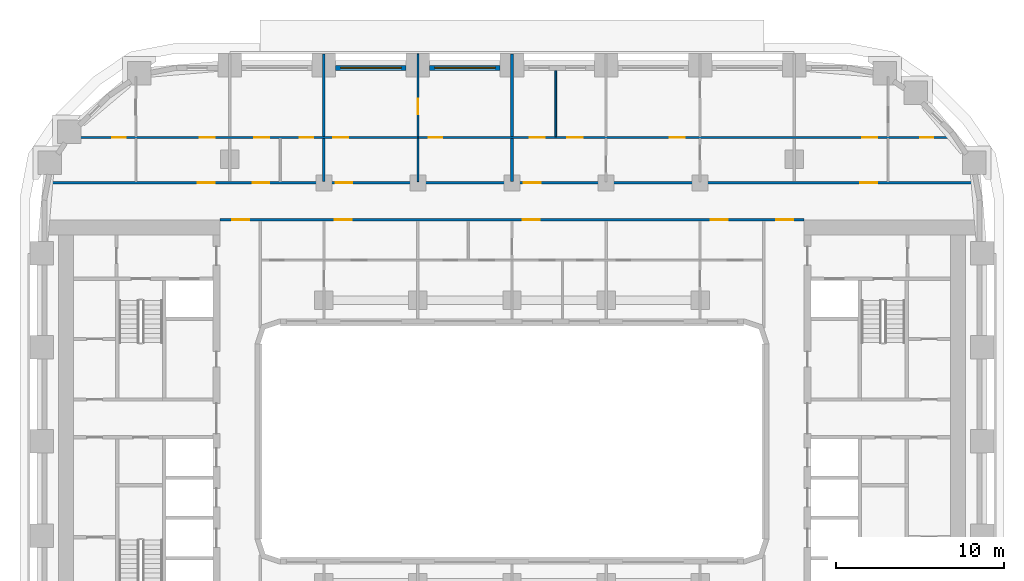
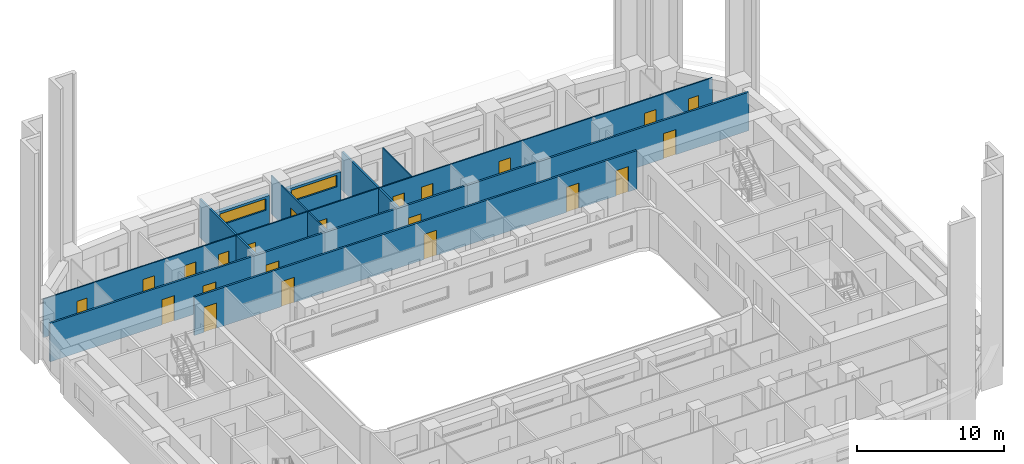
# One storey, part 8 of 22: 22 doors, 12 walls, 2 windows, 24 openings.
"""IFC4 building model written with IfcOpenShell, lengths in metres."""

import ifcopenshell
import ifcopenshell.guid

model = None  # the IFC model being written
_history = None  # IfcOwnerHistory: only IFC2X3 demands one
_inside = {}  # id of a spatial element -> (the spatial element, [elements in it])
_under = {}  # id of a project, library or spatial element -> (it, [spatial elements below it])
_declared = {}  # id of a project -> (the project, [libraries it declares])
_typed = {}  # id of a type object -> (the type object, [elements of that type])
_made_of = {}  # id of a material, layer set ... -> (it, [elements and type objects made of it])


def new_model(schema):
    """Start an empty IFC model of exactly this schema.

    Asked for "IFC4X3", IfcOpenShell would pick the latest addendum, in which some entities
    have other attributes; the version numbers below select the first issue.
    IFC2X3 requires an IfcOwnerHistory on every rooted entity: one is made here for all.
    """
    global model, _history
    if schema == "IFC4X3":
        model = ifcopenshell.file(schema_version=(4, 3, 0, 0))
    else:
        model = ifcopenshell.file(schema=schema)
    _inside.clear()
    _under.clear()
    _declared.clear()
    _typed.clear()
    _made_of.clear()
    _history = None
    if model.schema == "IFC2X3":
        org = make("IfcOrganization", Name="unknown")
        user = make(
            "IfcPersonAndOrganization",
            ThePerson=make("IfcPerson", FamilyName="unknown"),
            TheOrganization=org,
        )
        app = make(
            "IfcApplication",
            ApplicationDeveloper=org,
            Version="unknown",
            ApplicationFullName="unknown",
            ApplicationIdentifier="unknown",
        )
        _history = make(
            "IfcOwnerHistory",
            OwningUser=user,
            OwningApplication=app,
            ChangeAction="ADDED",
            CreationDate=0,
        )
    return model


def make(cls, **values):
    """One entity of the class cls with the attributes given. An attribute that is None is left unset."""
    return model.create_entity(
        cls, **{name: value for name, value in values.items() if value is not None}
    )


def rooted(cls, **values):
    """An entity with a GlobalId (a new one), such as an element, a storey or a relation."""
    return make(cls, GlobalId=ifcopenshell.guid.new(), OwnerHistory=_history, **values)


def si_unit(unit_type, name, prefix=None):
    """IfcSIUnit, for example si_unit("LENGTHUNIT", "METRE", prefix="MILLI")."""
    return make("IfcSIUnit", UnitType=unit_type, Prefix=prefix, Name=name)


def assignment(units):
    """IfcUnitAssignment: the units of a project."""
    return None if units is None else make("IfcUnitAssignment", Units=units)


def point(xyz):
    """IfcCartesianPoint."""
    return None if xyz is None else make("IfcCartesianPoint", Coordinates=xyz)


def direction(xyz):
    """IfcDirection."""
    return None if xyz is None else make("IfcDirection", DirectionRatios=xyz)


def frame(location, z_axis=None, x_axis=None):
    """IfcAxis2Placement3D, a coordinate frame: its origin and axes. An axis left out is left unset."""
    return make(
        "IfcAxis2Placement3D",
        Location=point(location),
        Axis=direction(z_axis),
        RefDirection=direction(x_axis),
    )


def frame_2d(location, x_axis=None):
    """IfcAxis2Placement2D, a coordinate frame in the plane: its origin and x axis."""
    return make(
        "IfcAxis2Placement2D", Location=point(location), RefDirection=direction(x_axis)
    )


def origin():
    """The frame at (0, 0, 0) with its axes left unset."""
    return frame((0.0, 0.0, 0.0))


def place(relative_to, where):
    """IfcLocalPlacement: puts the frame where relative to a parent placement (None: the world)."""
    return make(
        "IfcLocalPlacement", PlacementRelTo=relative_to, RelativePlacement=where
    )


def context(
    kind, dimensions, precision=None, world=None, true_north=None, identifier=None
):
    """IfcGeometricRepresentationContext, for example the 3D "Model" context."""
    return make(
        "IfcGeometricRepresentationContext",
        ContextIdentifier=identifier,
        ContextType=kind,
        CoordinateSpaceDimension=dimensions,
        Precision=precision,
        WorldCoordinateSystem=world,
        TrueNorth=true_north,
    )


def subcontext(parent, identifier, kind, view, scale=None):
    """IfcGeometricRepresentationSubContext, for example "Body" below "Model"."""
    return make(
        "IfcGeometricRepresentationSubContext",
        ContextIdentifier=identifier,
        ContextType=kind,
        ParentContext=parent,
        TargetScale=scale,
        TargetView=view,
    )


def project(units=None, contexts=None):
    """IfcProject with its units and contexts."""
    return rooted(
        "IfcProject",
        Name="project",
        RepresentationContexts=contexts,
        UnitsInContext=assignment(units),
    )


def spatial(cls, under=None, at=None, **own):
    """A site, building, storey or space (cls), placed at a placement, below another one or the project."""
    s = rooted(cls, ObjectPlacement=at, **own)
    if under is not None:
        _under.setdefault(under.id(), (under, []))[1].append(s)
    return s


def profile(cls, at=None, kind="AREA", **sizes):
    """A parametric profile (cls). Its sizes go by their IFC names, for example OverallWidth=200.0."""
    return make(cls, ProfileType=kind, Position=at, **sizes)


def rectangle(**sizes):
    """IfcRectangleProfileDef."""
    return profile("IfcRectangleProfileDef", **sizes)


def extrude(swept, where, along, depth):
    """IfcExtrudedAreaSolid: the profile swept, set in the frame where, extruded along a direction by depth."""
    return make(
        "IfcExtrudedAreaSolid",
        SweptArea=swept,
        Position=where,
        ExtrudedDirection=direction(along),
        Depth=depth,
    )


def shape(context_of_items, identifier, shape_type, items):
    """IfcShapeRepresentation: the items that make up one representation, for example the "Body"."""
    return make(
        "IfcShapeRepresentation",
        ContextOfItems=context_of_items,
        RepresentationIdentifier=identifier,
        RepresentationType=shape_type,
        Items=items,
    )


def material(Name=None, Category=None):
    """IfcMaterial."""
    return make("IfcMaterial", Name=Name, Category=Category)


def layer(
    of_material, thickness, ventilated=None, Name=None, Category=None, Priority=None
):
    """IfcMaterialLayer: one layer of a wall or slab, of a material (None: an air gap)."""
    return make(
        "IfcMaterialLayer",
        Material=of_material,
        LayerThickness=thickness,
        IsVentilated=ventilated,
        Name=Name,
        Category=Category,
        Priority=Priority,
    )


def layer_set(layers, Name=None):
    """IfcMaterialLayerSet."""
    return make("IfcMaterialLayerSet", MaterialLayers=layers, LayerSetName=Name)


def made_of(thing, what):
    """Note that an element or type object is made of a material, layer set ...; save() writes the relation."""
    if what is not None:
        _made_of.setdefault(what.id(), (what, []))[1].append(thing)
    return thing


def type_object(cls, material=None, **own):
    """A type object (cls), such as IfcWallType, which elements share."""
    return made_of(rooted(cls, **own), material)


def element(
    cls,
    number,
    at=None,
    inside=None,
    cuts=None,
    type_object=None,
    material=None,
    context=None,
    identifier="Body",
    shape_type=None,
    held_by="IfcProductDefinitionShape",
    body=None,
    shapes=None,
    **own,
):
    """One element of the class cls, such as IfcWall. Its Tag is "e" and its number.

    at: its placement. inside: the storey or other place that contains it. cuts: it is an
    opening in that element (IfcRelVoidsElement). A single representation is given by context,
    identifier, shape_type and body (its items); several are given by shapes. held_by: the class
    of the entity that holds the representations. save() writes the other relations.
    """
    e = rooted(cls, Tag="e%d" % number, ObjectPlacement=at, **own)
    if body is not None:
        shapes = [shape(context, identifier, shape_type, body)]
    if shapes is not None:
        e.Representation = make(held_by, Representations=shapes)
    if inside is not None:
        _inside.setdefault(inside.id(), (inside, []))[1].append(e)
    if cuts is not None:
        rooted(
            "IfcRelVoidsElement", RelatingBuildingElement=cuts, RelatedOpeningElement=e
        )
    if type_object is not None:
        _typed.setdefault(type_object.id(), (type_object, []))[1].append(e)
    return made_of(e, material)


def fill(opening, filler):
    """IfcRelFillsElement: the door or window that sits in an opening."""
    return rooted(
        "IfcRelFillsElement",
        RelatingOpeningElement=opening,
        RelatedBuildingElement=filler,
    )


def aggregate(whole, parts):
    """IfcRelAggregates: a whole, such as a stair, and the parts it consists of."""
    return rooted("IfcRelAggregates", RelatingObject=whole, RelatedObjects=parts)


def save(model, path):
    """Write the relations noted so far, then the file.

    IfcRelAggregates (storeys below a building ...), IfcRelContainedInSpatialStructure (elements
    in a storey), IfcRelDefinesByType, IfcRelAssociatesMaterial and IfcRelDeclares: one each for
    every whole, place, type object, material and project.
    """
    for whole, parts in _under.values():
        aggregate(whole, parts)
    for where, things in _inside.values():
        rooted(
            "IfcRelContainedInSpatialStructure",
            RelatedElements=things,
            RelatingStructure=where,
        )
    for kind, things in _typed.values():
        rooted("IfcRelDefinesByType", RelatedObjects=things, RelatingType=kind)
    for what, things in _made_of.values():
        rooted("IfcRelAssociatesMaterial", RelatedObjects=things, RelatingMaterial=what)
    for by, libraries in _declared.values():
        rooted("IfcRelDeclares", RelatingContext=by, RelatedDefinitions=libraries)
    model.write(path)


model = new_model("IFC4")

# Units and contexts
model_context = context("Model", 3, precision=1e-05, world=origin(), true_north=direction((0.0, 1.0)))
body_context = subcontext(model_context, "Body", "Model", "MODEL_VIEW")
ifc_project = project(units=[si_unit("LENGTHUNIT", "METRE"), si_unit("AREAUNIT", "SQUARE_METRE"), si_unit("VOLUMEUNIT", "CUBIC_METRE"), si_unit("PLANEANGLEUNIT", "RADIAN"), si_unit("MASSUNIT", "GRAM", prefix="KILO")], contexts=[model_context])

# Site, building, storey
site_placement = place(None, origin())
site = spatial("IfcSite", under=ifc_project, at=site_placement, CompositionType="ELEMENT")
building_placement = place(site_placement, origin())
building = spatial("IfcBuilding", under=site, at=building_placement, Name="Kiln Ring Residences", CompositionType="ELEMENT")
storey_placement = place(building_placement, frame((0.0, 0.0, 55.0)))
storey = spatial("IfcBuildingStorey", under=building, at=storey_placement, Name="L13", CompositionType="ELEMENT", Elevation=55.0)

# Wall, opening, window
ifc_material_1 = material(Name="Brick masonry, dark clay brick", Category="masonry")
ifc_layer_1 = layer(ifc_material_1, 0.300048828125)
ifc_layer_set_1 = layer_set([ifc_layer_1], Name="EW-300 BRICK WALL")
wall_type_1 = type_object("IfcWallType", Name="EW-300 BRICK WALL", PredefinedType="SOLIDWALL", material=ifc_layer_set_1)
wall_1_placement = place(storey_placement, frame((-0.699951171875, 22.25, 0.0), z_axis=(0.0, 0.0, 1.0), x_axis=(-1.0, 0.0, 0.0)))
wall_1 = element("IfcWall", 1, at=wall_1_placement, inside=storey, type_object=wall_type_1, Name="Facade wall L13 32", PredefinedType="SOLIDWALL", context=body_context, shape_type="SweptSolid", body=[
    extrude(rectangle(XDim=4.199951171875, YDim=0.300048828125, at=frame_2d((2.10009765625, 0.0))), origin(), (0.0, 0.0, 1.0), 2.35009765625),
])
opening_1_placement = place(wall_1_placement, frame((0.300048828125, 0.0, 1.199951171875)))
opening_1 = element("IfcOpeningElement", 2, at=opening_1_placement, cuts=wall_1, Name="Opening W4", PredefinedType="OPENING", context=body_context, shape_type="SweptSolid", body=[
    extrude(rectangle(XDim=3.60009765625, YDim=0.949951171875, at=frame_2d((1.800048828125, 0.47509765625))), frame((0.0, 0.159912109375, 0.0), z_axis=(0.0, -1.0, 0.0), x_axis=(1.0, 0.0, 0.0)), (0.0, 0.0, 1.0), 0.320068359375),
])
ifc_material_2 = material(Name="Aluminium frame with double glazing", Category="aluminium")
window_type = type_object("IfcWindowType", Name="WINDOW 3600 x 950", PartitioningType="SINGLE_PANEL", PredefinedType="WINDOW", material=ifc_material_2)
window_1_placement = place(opening_1_placement, origin())
window_1 = element("IfcWindow", 3, at=window_1_placement, inside=storey, type_object=window_type, Name="Window L13 18", OverallHeight=0.949951171875, OverallWidth=3.60009765625, PartitioningType="SINGLE_PANEL", PredefinedType="WINDOW", context=body_context, shape_type="SweptSolid", body=[
    extrude(rectangle(XDim=3.60009765625, YDim=0.949951171875, at=frame_2d((1.800048828125, 0.47509765625))), frame((0.0, 0.030029296875, 0.0), z_axis=(0.0, -1.0, 0.0), x_axis=(1.0, 0.0, 0.0)), (0.0, 0.0, 1.0), 0.06005859375),
])
fill(opening_1, window_1)

wall_2_placement = place(storey_placement, frame((-6.300048828125, 22.25, 0.0), z_axis=(0.0, 0.0, 1.0), x_axis=(-1.0, 0.0, 0.0)))
wall_2 = element("IfcWall", 4, at=wall_2_placement, inside=storey, type_object=wall_type_1, Name="Facade wall L13 33", PredefinedType="SOLIDWALL", context=body_context, shape_type="SweptSolid", body=[
    extrude(rectangle(XDim=4.199951171875, YDim=0.300048828125, at=frame_2d((2.10009765625, 0.0))), origin(), (0.0, 0.0, 1.0), 2.35009765625),
])
opening_2_placement = place(wall_2_placement, frame((0.300048828125, 0.0, 1.199951171875)))
opening_2 = element("IfcOpeningElement", 5, at=opening_2_placement, cuts=wall_2, Name="Opening W4", PredefinedType="OPENING", context=body_context, shape_type="SweptSolid", body=[
    extrude(rectangle(XDim=3.60009765625, YDim=0.949951171875, at=frame_2d((1.800048828125, 0.47509765625))), frame((0.0, 0.159912109375, 0.0), z_axis=(0.0, -1.0, 0.0), x_axis=(1.0, 0.0, 0.0)), (0.0, 0.0, 1.0), 0.320068359375),
])
window_2_placement = place(opening_2_placement, origin())
window_2 = element("IfcWindow", 6, at=window_2_placement, inside=storey, type_object=window_type, Name="Window L13 19", OverallHeight=0.949951171875, OverallWidth=3.60009765625, PartitioningType="SINGLE_PANEL", PredefinedType="WINDOW", context=body_context, shape_type="SweptSolid", body=[
    extrude(rectangle(XDim=3.60009765625, YDim=0.949951171875, at=frame_2d((1.800048828125, 0.47509765625))), frame((0.0, 0.030029296875, 0.0), z_axis=(0.0, -1.0, 0.0), x_axis=(1.0, 0.0, 0.0)), (0.0, 0.0, 1.0), 0.06005859375),
])
fill(opening_2, window_2)

# Wall, openings, doors
ifc_material_3 = material(Name="Gypsum board on steel studs", Category="steel")
ifc_layer_2 = layer(ifc_material_3, 0.10009765625)
ifc_layer_set_2 = layer_set([ifc_layer_2], Name="PARTITION-100")
wall_type_2 = type_object("IfcWallType", Name="PARTITION-100", PredefinedType="PARTITIONING", material=ifc_layer_set_2)
wall_3_placement = place(storey_placement, frame((-26.43994140625, 18.10009765625, 0.0), z_axis=(0.0, 0.0, 1.0), x_axis=(1.0, 0.0, 0.0)))
wall_3 = element("IfcWall", 7, at=wall_3_placement, inside=storey, type_object=wall_type_2, Name="Partition 007", PredefinedType="PARTITIONING", context=body_context, shape_type="SweptSolid", body=[
    extrude(rectangle(XDim=52.630126953125, YDim=0.10009765625, at=frame_2d((26.31494140625, 0.0))), origin(), (0.0, 0.0, 1.0), 3.199951171875),
])
opening_3_placement = place(wall_3_placement, frame((2.6259765625, 0.0, 0.0)))
opening_3 = element("IfcOpeningElement", 8, at=opening_3_placement, cuts=wall_3, Name="Opening L13-D020", PredefinedType="OPENING", context=body_context, shape_type="SweptSolid", body=[
    extrude(rectangle(XDim=0.800048828125, YDim=2.10009765625, at=frame_2d((0.39990234375, 1.050048828125))), frame((0.0, 0.06005859375, 0.0), z_axis=(0.0, -1.0, 0.0), x_axis=(1.0, 0.0, 0.0)), (0.0, 0.0, 1.0), 0.1201171875),
])
opening_4_placement = place(wall_3_placement, frame((7.840087890625, 0.0, 0.0)))
opening_4 = element("IfcOpeningElement", 9, at=opening_4_placement, cuts=wall_3, Name="Opening L13-D021", PredefinedType="OPENING", context=body_context, shape_type="SweptSolid", body=[
    extrude(rectangle(XDim=0.89990234375, YDim=2.10009765625, at=frame_2d((0.449951171875, 1.050048828125))), frame((0.0, 0.06005859375, 0.0), z_axis=(0.0, -1.0, 0.0), x_axis=(1.0, 0.0, 0.0)), (0.0, 0.0, 1.0), 0.1201171875),
])
opening_5_placement = place(wall_3_placement, frame((13.7900390625, 0.0, 0.0)))
opening_5 = element("IfcOpeningElement", 10, at=opening_5_placement, cuts=wall_3, Name="Opening L13-D024", PredefinedType="OPENING", context=body_context, shape_type="SweptSolid", body=[
    extrude(rectangle(XDim=0.800048828125, YDim=2.10009765625, at=frame_2d((0.39990234375, 1.050048828125))), frame((0.0, 0.06005859375, 0.0), z_axis=(0.0, -1.0, 0.0), x_axis=(1.0, 0.0, 0.0)), (0.0, 0.0, 1.0), 0.1201171875),
])
opening_6_placement = place(wall_3_placement, frame((11.090087890625, 0.0, 0.0)))
opening_6 = element("IfcOpeningElement", 11, at=opening_6_placement, cuts=wall_3, Name="Opening L13-D025", PredefinedType="OPENING", context=body_context, shape_type="SweptSolid", body=[
    extrude(rectangle(XDim=0.89990234375, YDim=2.10009765625, at=frame_2d((0.449951171875, 1.050048828125))), frame((0.0, 0.06005859375, 0.0), z_axis=(0.0, -1.0, 0.0), x_axis=(1.0, 0.0, 0.0)), (0.0, 0.0, 1.0), 0.1201171875),
])
opening_7_placement = place(wall_3_placement, frame((21.489990234375, 0.0, 0.0)))
opening_7 = element("IfcOpeningElement", 12, at=opening_7_placement, cuts=wall_3, Name="Opening L13-D027", PredefinedType="OPENING", context=body_context, shape_type="SweptSolid", body=[
    extrude(rectangle(XDim=0.800048828125, YDim=2.10009765625, at=frame_2d((0.39990234375, 1.050048828125))), frame((0.0, 0.06005859375, 0.0), z_axis=(0.0, -1.0, 0.0), x_axis=(1.0, 0.0, 0.0)), (0.0, 0.0, 1.0), 0.1201171875),
])
opening_8_placement = place(wall_3_placement, frame((15.7900390625, 0.0, 0.0)))
opening_8 = element("IfcOpeningElement", 13, at=opening_8_placement, cuts=wall_3, Name="Opening L13-D028", PredefinedType="OPENING", context=body_context, shape_type="SweptSolid", body=[
    extrude(rectangle(XDim=0.89990234375, YDim=2.10009765625, at=frame_2d((0.449951171875, 1.050048828125))), frame((0.0, 0.06005859375, 0.0), z_axis=(0.0, -1.0, 0.0), x_axis=(1.0, 0.0, 0.0)), (0.0, 0.0, 1.0), 0.1201171875),
])
opening_9_placement = place(wall_3_placement, frame((27.489990234375, 0.0, 0.0)))
opening_9 = element("IfcOpeningElement", 14, at=opening_9_placement, cuts=wall_3, Name="Opening L13-D033", PredefinedType="OPENING", context=body_context, shape_type="SweptSolid", body=[
    extrude(rectangle(XDim=0.89990234375, YDim=2.10009765625, at=frame_2d((0.449951171875, 1.050048828125))), frame((0.0, 0.06005859375, 0.0), z_axis=(0.0, -1.0, 0.0), x_axis=(1.0, 0.0, 0.0)), (0.0, 0.0, 1.0), 0.1201171875),
])
opening_10_placement = place(wall_3_placement, frame((29.739990234375, 0.0, 0.0)))
opening_10 = element("IfcOpeningElement", 15, at=opening_10_placement, cuts=wall_3, Name="Opening L13-D034", PredefinedType="OPENING", context=body_context, shape_type="SweptSolid", body=[
    extrude(rectangle(XDim=0.89990234375, YDim=2.10009765625, at=frame_2d((0.449951171875, 1.050048828125))), frame((0.0, 0.06005859375, 0.0), z_axis=(0.0, -1.0, 0.0), x_axis=(1.0, 0.0, 0.0)), (0.0, 0.0, 1.0), 0.1201171875),
])
opening_11_placement = place(wall_3_placement, frame((35.840087890625, 0.0, 0.0)))
opening_11 = element("IfcOpeningElement", 16, at=opening_11_placement, cuts=wall_3, Name="Opening L13-D035", PredefinedType="OPENING", context=body_context, shape_type="SweptSolid", body=[
    extrude(rectangle(XDim=0.89990234375, YDim=2.10009765625, at=frame_2d((0.449951171875, 1.050048828125))), frame((0.0, 0.06005859375, 0.0), z_axis=(0.0, -1.0, 0.0), x_axis=(1.0, 0.0, 0.0)), (0.0, 0.0, 1.0), 0.1201171875),
])
opening_12_placement = place(wall_3_placement, frame((50.739990234375, 0.0, 0.0)))
opening_12 = element("IfcOpeningElement", 17, at=opening_12_placement, cuts=wall_3, Name="Opening L13-D038", PredefinedType="OPENING", context=body_context, shape_type="SweptSolid", body=[
    extrude(rectangle(XDim=0.800048828125, YDim=2.10009765625, at=frame_2d((0.39990234375, 1.050048828125))), frame((0.0, 0.06005859375, 0.0), z_axis=(0.0, -1.0, 0.0), x_axis=(1.0, 0.0, 0.0)), (0.0, 0.0, 1.0), 0.1201171875),
])
opening_13_placement = place(wall_3_placement, frame((47.2900390625, 0.0, 0.0)))
opening_13 = element("IfcOpeningElement", 18, at=opening_13_placement, cuts=wall_3, Name="Opening L13-D039", PredefinedType="OPENING", context=body_context, shape_type="SweptSolid", body=[
    extrude(rectangle(XDim=0.89990234375, YDim=2.10009765625, at=frame_2d((0.449951171875, 1.050048828125))), frame((0.0, 0.06005859375, 0.0), z_axis=(0.0, -1.0, 0.0), x_axis=(1.0, 0.0, 0.0)), (0.0, 0.0, 1.0), 0.1201171875),
])
ifc_material_4 = material(Name="Timber door leaf", Category="wood")
door_type_1 = type_object("IfcDoorType", Name="FLAT-DOOR-800-PL", OperationType="SINGLE_SWING_LEFT", PredefinedType="DOOR", material=ifc_material_4)
door_1_placement = place(opening_3_placement, origin())
door_1 = element("IfcDoor", 19, at=door_1_placement, inside=storey, type_object=door_type_1, Name="Door L13-D020", OperationType="SINGLE_SWING_RIGHT", OverallHeight=2.10009765625, OverallWidth=0.800048828125, PredefinedType="DOOR", context=body_context, shape_type="SweptSolid", body=[
    extrude(rectangle(XDim=0.800048828125, YDim=2.10009765625, at=frame_2d((0.39990234375, 1.050048828125))), frame((0.0, 0.02490234375, 0.0), z_axis=(0.0, -1.0, 0.0), x_axis=(1.0, 0.0, 0.0)), (0.0, 0.0, 1.0), 0.050048828125),
])
fill(opening_3, door_1)
door_2_placement = place(opening_5_placement, origin())
door_2 = element("IfcDoor", 20, at=door_2_placement, inside=storey, type_object=door_type_1, Name="Door L13-D024", OperationType="SINGLE_SWING_RIGHT", OverallHeight=2.10009765625, OverallWidth=0.800048828125, PredefinedType="DOOR", context=body_context, shape_type="SweptSolid", body=[
    extrude(rectangle(XDim=0.800048828125, YDim=2.10009765625, at=frame_2d((0.39990234375, 1.050048828125))), frame((0.0, 0.02490234375, 0.0), z_axis=(0.0, -1.0, 0.0), x_axis=(1.0, 0.0, 0.0)), (0.0, 0.0, 1.0), 0.050048828125),
])
fill(opening_5, door_2)
door_3_placement = place(opening_7_placement, origin())
door_3 = element("IfcDoor", 21, at=door_3_placement, inside=storey, type_object=door_type_1, Name="Door L13-D027", OperationType="SINGLE_SWING_LEFT", OverallHeight=2.10009765625, OverallWidth=0.800048828125, PredefinedType="DOOR", context=body_context, shape_type="SweptSolid", body=[
    extrude(rectangle(XDim=0.800048828125, YDim=2.10009765625, at=frame_2d((0.39990234375, 1.050048828125))), frame((0.0, 0.02490234375, 0.0), z_axis=(0.0, -1.0, 0.0), x_axis=(1.0, 0.0, 0.0)), (0.0, 0.0, 1.0), 0.050048828125),
])
fill(opening_7, door_3)
door_4_placement = place(opening_12_placement, origin())
door_4 = element("IfcDoor", 22, at=door_4_placement, inside=storey, type_object=door_type_1, Name="Door L13-D038", OperationType="SINGLE_SWING_RIGHT", OverallHeight=2.10009765625, OverallWidth=0.800048828125, PredefinedType="DOOR", context=body_context, shape_type="SweptSolid", body=[
    extrude(rectangle(XDim=0.800048828125, YDim=2.10009765625, at=frame_2d((0.39990234375, 1.050048828125))), frame((0.0, 0.02490234375, 0.0), z_axis=(0.0, -1.0, 0.0), x_axis=(1.0, 0.0, 0.0)), (0.0, 0.0, 1.0), 0.050048828125),
])
fill(opening_12, door_4)
ifc_material_5 = material(Name="Timber door leaf", Category="wood")
door_type_2 = type_object("IfcDoorType", Name="FLAT-DOOR-900-PL", OperationType="SINGLE_SWING_LEFT", PredefinedType="DOOR", material=ifc_material_5)
door_5_placement = place(opening_4_placement, origin())
door_5 = element("IfcDoor", 23, at=door_5_placement, inside=storey, type_object=door_type_2, Name="Door L13-D021", OperationType="SINGLE_SWING_LEFT", OverallHeight=2.10009765625, OverallWidth=0.89990234375, PredefinedType="DOOR", context=body_context, shape_type="SweptSolid", body=[
    extrude(rectangle(XDim=0.89990234375, YDim=2.10009765625, at=frame_2d((0.449951171875, 1.050048828125))), frame((0.0, 0.02490234375, 0.0), z_axis=(0.0, -1.0, 0.0), x_axis=(1.0, 0.0, 0.0)), (0.0, 0.0, 1.0), 0.050048828125),
])
fill(opening_4, door_5)
door_6_placement = place(opening_6_placement, origin())
door_6 = element("IfcDoor", 24, at=door_6_placement, inside=storey, type_object=door_type_2, Name="Door L13-D025", OperationType="SINGLE_SWING_LEFT", OverallHeight=2.10009765625, OverallWidth=0.89990234375, PredefinedType="DOOR", context=body_context, shape_type="SweptSolid", body=[
    extrude(rectangle(XDim=0.89990234375, YDim=2.10009765625, at=frame_2d((0.449951171875, 1.050048828125))), frame((0.0, 0.02490234375, 0.0), z_axis=(0.0, -1.0, 0.0), x_axis=(1.0, 0.0, 0.0)), (0.0, 0.0, 1.0), 0.050048828125),
])
fill(opening_6, door_6)
door_7_placement = place(opening_8_placement, origin())
door_7 = element("IfcDoor", 25, at=door_7_placement, inside=storey, type_object=door_type_2, Name="Door L13-D028", OperationType="SINGLE_SWING_RIGHT", OverallHeight=2.10009765625, OverallWidth=0.89990234375, PredefinedType="DOOR", context=body_context, shape_type="SweptSolid", body=[
    extrude(rectangle(XDim=0.89990234375, YDim=2.10009765625, at=frame_2d((0.449951171875, 1.050048828125))), frame((0.0, 0.02490234375, 0.0), z_axis=(0.0, -1.0, 0.0), x_axis=(1.0, 0.0, 0.0)), (0.0, 0.0, 1.0), 0.050048828125),
])
fill(opening_8, door_7)
door_8_placement = place(opening_9_placement, origin())
door_8 = element("IfcDoor", 26, at=door_8_placement, inside=storey, type_object=door_type_2, Name="Door L13-D033", OperationType="SINGLE_SWING_LEFT", OverallHeight=2.10009765625, OverallWidth=0.89990234375, PredefinedType="DOOR", context=body_context, shape_type="SweptSolid", body=[
    extrude(rectangle(XDim=0.89990234375, YDim=2.10009765625, at=frame_2d((0.449951171875, 1.050048828125))), frame((0.0, 0.02490234375, 0.0), z_axis=(0.0, -1.0, 0.0), x_axis=(1.0, 0.0, 0.0)), (0.0, 0.0, 1.0), 0.050048828125),
])
fill(opening_9, door_8)
door_9_placement = place(opening_10_placement, origin())
door_9 = element("IfcDoor", 27, at=door_9_placement, inside=storey, type_object=door_type_2, Name="Door L13-D034", OperationType="SINGLE_SWING_RIGHT", OverallHeight=2.10009765625, OverallWidth=0.89990234375, PredefinedType="DOOR", context=body_context, shape_type="SweptSolid", body=[
    extrude(rectangle(XDim=0.89990234375, YDim=2.10009765625, at=frame_2d((0.449951171875, 1.050048828125))), frame((0.0, 0.02490234375, 0.0), z_axis=(0.0, -1.0, 0.0), x_axis=(1.0, 0.0, 0.0)), (0.0, 0.0, 1.0), 0.050048828125),
])
fill(opening_10, door_9)
door_10_placement = place(opening_11_placement, origin())
door_10 = element("IfcDoor", 28, at=door_10_placement, inside=storey, type_object=door_type_2, Name="Door L13-D035", OperationType="SINGLE_SWING_LEFT", OverallHeight=2.10009765625, OverallWidth=0.89990234375, PredefinedType="DOOR", context=body_context, shape_type="SweptSolid", body=[
    extrude(rectangle(XDim=0.89990234375, YDim=2.10009765625, at=frame_2d((0.449951171875, 1.050048828125))), frame((0.0, 0.02490234375, 0.0), z_axis=(0.0, -1.0, 0.0), x_axis=(1.0, 0.0, 0.0)), (0.0, 0.0, 1.0), 0.050048828125),
])
fill(opening_11, door_10)
door_11_placement = place(opening_13_placement, origin())
door_11 = element("IfcDoor", 29, at=door_11_placement, inside=storey, type_object=door_type_2, Name="Door L13-D039", OperationType="SINGLE_SWING_LEFT", OverallHeight=2.10009765625, OverallWidth=0.89990234375, PredefinedType="DOOR", context=body_context, shape_type="SweptSolid", body=[
    extrude(rectangle(XDim=0.89990234375, YDim=2.10009765625, at=frame_2d((0.449951171875, 1.050048828125))), frame((0.0, 0.02490234375, 0.0), z_axis=(0.0, -1.0, 0.0), x_axis=(1.0, 0.0, 0.0)), (0.0, 0.0, 1.0), 0.050048828125),
])
fill(opening_13, door_11)

# Wall
wall_4_placement = place(storey_placement, frame((-5.60009765625, 15.47509765625, 0.0), z_axis=(0.0, 0.0, 1.0), x_axis=(0.0, 1.0, 0.0)))
element("IfcWall", 30, at=wall_4_placement, inside=storey, type_object=wall_type_2, Name="Partition 029", PredefinedType="PARTITIONING", context=body_context, shape_type="SweptSolid", body=[
    extrude(rectangle(XDim=2.574951171875, YDim=0.10009765625, at=frame_2d((1.28759765625, 0.0))), origin(), (0.0, 0.0, 1.0), 3.199951171875),
])

# Wall, opening, door
wall_5_placement = place(storey_placement, frame((-5.60009765625, 18.14990234375, 0.0), z_axis=(0.0, 0.0, 1.0), x_axis=(0.0, 1.0, 0.0)))
wall_5 = element("IfcWall", 31, at=wall_5_placement, inside=storey, type_object=wall_type_2, Name="Partition 030", PredefinedType="PARTITIONING", context=body_context, shape_type="SweptSolid", body=[
    extrude(rectangle(XDim=4.93017578125, YDim=0.10009765625, at=frame_2d((2.465087890625, 0.0))), origin(), (0.0, 0.0, 1.0), 3.199951171875),
])
opening_14_placement = place(wall_5_placement, frame((1.35009765625, 0.0, 0.0)))
opening_14 = element("IfcOpeningElement", 32, at=opening_14_placement, cuts=wall_5, Name="Opening L13-D029", PredefinedType="OPENING", context=body_context, shape_type="SweptSolid", body=[
    extrude(rectangle(XDim=0.89990234375, YDim=2.10009765625, at=frame_2d((0.449951171875, 1.050048828125))), frame((0.0, 0.06005859375, 0.0), z_axis=(0.0, -1.0, 0.0), x_axis=(1.0, 0.0, 0.0)), (0.0, 0.0, 1.0), 0.1201171875),
])
door_12_placement = place(opening_14_placement, origin())
door_12 = element("IfcDoor", 33, at=door_12_placement, inside=storey, type_object=door_type_2, Name="Door L13-D029", OperationType="SINGLE_SWING_LEFT", OverallHeight=2.10009765625, OverallWidth=0.89990234375, PredefinedType="DOOR", context=body_context, shape_type="SweptSolid", body=[
    extrude(rectangle(XDim=0.89990234375, YDim=2.10009765625, at=frame_2d((0.449951171875, 1.050048828125))), frame((0.0, 0.02490234375, 0.0), z_axis=(0.0, -1.0, 0.0), x_axis=(1.0, 0.0, 0.0)), (0.0, 0.0, 1.0), 0.050048828125),
])
fill(opening_14, door_12)

# Wall
wall_6_placement = place(storey_placement, frame((2.60009765625, 18.14990234375, 0.0), z_axis=(0.0, 0.0, 1.0), x_axis=(0.0, 1.0, 0.0)))
element("IfcWall", 34, at=wall_6_placement, inside=storey, type_object=wall_type_2, Name="Partition 046", PredefinedType="PARTITIONING", context=body_context, shape_type="SweptSolid", body=[
    extrude(rectangle(XDim=3.93017578125, YDim=0.10009765625, at=frame_2d((1.965087890625, 0.0))), origin(), (0.0, 0.0, 1.0), 3.199951171875),
])

# Wall, openings, doors
ifc_material_6 = material(Name="Brick masonry partition", Category="masonry")
ifc_layer_3 = layer(ifc_material_6, 0.14990234375)
ifc_layer_set_3 = layer_set([ifc_layer_3], Name="PARTITION-150-ei60")
wall_type_3 = type_object("IfcWallType", Name="PARTITION-150-ei60", PredefinedType="PARTITIONING", material=ifc_layer_set_3)
wall_7_placement = place(storey_placement, frame((-17.39990234375, 13.199951171875, 0.0), z_axis=(0.0, 0.0, 1.0), x_axis=(1.0, 0.0, 0.0)))
wall_7 = element("IfcWall", 35, at=wall_7_placement, inside=storey, type_object=wall_type_3, Name="Partition 005", PredefinedType="PARTITIONING", context=body_context, shape_type="SweptSolid", body=[
    extrude(rectangle(XDim=34.7998046875, YDim=0.14990234375, at=frame_2d((17.39990234375, 0.0))), origin(), (0.0, 0.0, 1.0), 3.199951171875),
])
opening_15_placement = place(wall_7_placement, frame((0.75, 0.0, 0.0)))
opening_15 = element("IfcOpeningElement", 36, at=opening_15_placement, cuts=wall_7, Name="Opening L13-D001", PredefinedType="OPENING", context=body_context, shape_type="SweptSolid", body=[
    extrude(rectangle(XDim=1.0, YDim=2.10009765625, at=frame_2d((0.5, 1.050048828125))), frame((0.0, 0.0849609375, 0.0), z_axis=(0.0, -1.0, 0.0), x_axis=(1.0, 0.0, 0.0)), (0.0, 0.0, 1.0), 0.169921875),
])
opening_16_placement = place(wall_7_placement, frame((33.14990234375, 0.0, 0.0)))
opening_16 = element("IfcOpeningElement", 37, at=opening_16_placement, cuts=wall_7, Name="Opening L13-D002", PredefinedType="OPENING", context=body_context, shape_type="SweptSolid", body=[
    extrude(rectangle(XDim=1.0, YDim=2.10009765625, at=frame_2d((0.5, 1.050048828125))), frame((0.0, 0.0849609375, 0.0), z_axis=(0.0, -1.0, 0.0), x_axis=(1.0, 0.0, 0.0)), (0.0, 0.0, 1.0), 0.169921875),
])
opening_17_placement = place(wall_7_placement, frame((6.85009765625, 0.0, 0.0)))
opening_17 = element("IfcOpeningElement", 38, at=opening_17_placement, cuts=wall_7, Name="Opening L13-D005", PredefinedType="OPENING", context=body_context, shape_type="SweptSolid", body=[
    extrude(rectangle(XDim=1.0, YDim=2.10009765625, at=frame_2d((0.5, 1.050048828125))), frame((0.0, 0.0849609375, 0.0), z_axis=(0.0, -1.0, 0.0), x_axis=(1.0, 0.0, 0.0)), (0.0, 0.0, 1.0), 0.169921875),
])
opening_18_placement = place(wall_7_placement, frame((18.050048828125, 0.0, 0.0)))
opening_18 = element("IfcOpeningElement", 39, at=opening_18_placement, cuts=wall_7, Name="Opening L13-D009", PredefinedType="OPENING", context=body_context, shape_type="SweptSolid", body=[
    extrude(rectangle(XDim=1.0, YDim=2.10009765625, at=frame_2d((0.5, 1.050048828125))), frame((0.0, 0.0849609375, 0.0), z_axis=(0.0, -1.0, 0.0), x_axis=(1.0, 0.0, 0.0)), (0.0, 0.0, 1.0), 0.169921875),
])
opening_19_placement = place(wall_7_placement, frame((29.25, 0.0, 0.0)))
opening_19 = element("IfcOpeningElement", 40, at=opening_19_placement, cuts=wall_7, Name="Opening L13-D015", PredefinedType="OPENING", context=body_context, shape_type="SweptSolid", body=[
    extrude(rectangle(XDim=1.0, YDim=2.10009765625, at=frame_2d((0.5, 1.050048828125))), frame((0.0, 0.0849609375, 0.0), z_axis=(0.0, -1.0, 0.0), x_axis=(1.0, 0.0, 0.0)), (0.0, 0.0, 1.0), 0.169921875),
])
ifc_material_7 = material(Name="Steel faced fire door leaf", Category="steel")
door_type_3 = type_object("IfcDoorType", Name="FLAT-DOOR-1000-FR", OperationType="SINGLE_SWING_LEFT", PredefinedType="DOOR", material=ifc_material_7)
door_13_placement = place(opening_15_placement, origin())
door_13 = element("IfcDoor", 41, at=door_13_placement, inside=storey, type_object=door_type_3, Name="Door L13-D001", OperationType="SINGLE_SWING_RIGHT", OverallHeight=2.10009765625, OverallWidth=1.0, PredefinedType="DOOR", context=body_context, shape_type="SweptSolid", body=[
    extrude(rectangle(XDim=1.0, YDim=2.10009765625, at=frame_2d((0.5, 1.050048828125))), frame((0.0, 0.02490234375, 0.0), z_axis=(0.0, -1.0, 0.0), x_axis=(1.0, 0.0, 0.0)), (0.0, 0.0, 1.0), 0.050048828125),
])
fill(opening_15, door_13)
door_14_placement = place(opening_16_placement, origin())
door_14 = element("IfcDoor", 42, at=door_14_placement, inside=storey, type_object=door_type_3, Name="Door L13-D002", OperationType="SINGLE_SWING_LEFT", OverallHeight=2.10009765625, OverallWidth=1.0, PredefinedType="DOOR", context=body_context, shape_type="SweptSolid", body=[
    extrude(rectangle(XDim=1.0, YDim=2.10009765625, at=frame_2d((0.5, 1.050048828125))), frame((0.0, 0.02490234375, 0.0), z_axis=(0.0, -1.0, 0.0), x_axis=(1.0, 0.0, 0.0)), (0.0, 0.0, 1.0), 0.050048828125),
])
fill(opening_16, door_14)
door_15_placement = place(opening_17_placement, origin())
door_15 = element("IfcDoor", 43, at=door_15_placement, inside=storey, type_object=door_type_3, Name="Door L13-D005", OperationType="SINGLE_SWING_LEFT", OverallHeight=2.10009765625, OverallWidth=1.0, PredefinedType="DOOR", context=body_context, shape_type="SweptSolid", body=[
    extrude(rectangle(XDim=1.0, YDim=2.10009765625, at=frame_2d((0.5, 1.050048828125))), frame((0.0, 0.02490234375, 0.0), z_axis=(0.0, -1.0, 0.0), x_axis=(1.0, 0.0, 0.0)), (0.0, 0.0, 1.0), 0.050048828125),
])
fill(opening_17, door_15)
door_16_placement = place(opening_18_placement, origin())
door_16 = element("IfcDoor", 44, at=door_16_placement, inside=storey, type_object=door_type_3, Name="Door L13-D009", OperationType="SINGLE_SWING_LEFT", OverallHeight=2.10009765625, OverallWidth=1.0, PredefinedType="DOOR", context=body_context, shape_type="SweptSolid", body=[
    extrude(rectangle(XDim=1.0, YDim=2.10009765625, at=frame_2d((0.5, 1.050048828125))), frame((0.0, 0.02490234375, 0.0), z_axis=(0.0, -1.0, 0.0), x_axis=(1.0, 0.0, 0.0)), (0.0, 0.0, 1.0), 0.050048828125),
])
fill(opening_18, door_16)
door_17_placement = place(opening_19_placement, origin())
door_17 = element("IfcDoor", 45, at=door_17_placement, inside=storey, type_object=door_type_3, Name="Door L13-D015", OperationType="SINGLE_SWING_LEFT", OverallHeight=2.10009765625, OverallWidth=1.0, PredefinedType="DOOR", context=body_context, shape_type="SweptSolid", body=[
    extrude(rectangle(XDim=1.0, YDim=2.10009765625, at=frame_2d((0.5, 1.050048828125))), frame((0.0, 0.02490234375, 0.0), z_axis=(0.0, -1.0, 0.0), x_axis=(1.0, 0.0, 0.0)), (0.0, 0.0, 1.0), 0.050048828125),
])
fill(opening_19, door_17)

wall_8_placement = place(storey_placement, frame((-27.48388671875, 15.39990234375, 0.0), z_axis=(0.0, 0.0, 1.0), x_axis=(1.0, 0.0, 0.0)))
wall_8 = element("IfcWall", 46, at=wall_8_placement, inside=storey, type_object=wall_type_3, Name="Partition 006", PredefinedType="PARTITIONING", context=body_context, shape_type="SweptSolid", body=[
    extrude(rectangle(XDim=54.9677734375, YDim=0.14990234375, at=frame_2d((27.48388671875, 0.0))), origin(), (0.0, 0.0, 1.0), 3.199951171875),
])
opening_20_placement = place(wall_8_placement, frame((8.78369140625, 0.0, 0.0)))
opening_20 = element("IfcOpeningElement", 47, at=opening_20_placement, cuts=wall_8, Name="Opening L13-D019", PredefinedType="OPENING", context=body_context, shape_type="SweptSolid", body=[
    extrude(rectangle(XDim=1.0, YDim=2.10009765625, at=frame_2d((0.5, 1.050048828125))), frame((0.0, 0.0849609375, 0.0), z_axis=(0.0, -1.0, 0.0), x_axis=(1.0, 0.0, 0.0)), (0.0, 0.0, 1.0), 0.169921875),
])
opening_21_placement = place(wall_8_placement, frame((12.03369140625, 0.0, 0.0)))
opening_21 = element("IfcOpeningElement", 48, at=opening_21_placement, cuts=wall_8, Name="Opening L13-D023", PredefinedType="OPENING", context=body_context, shape_type="SweptSolid", body=[
    extrude(rectangle(XDim=1.0, YDim=2.10009765625, at=frame_2d((0.5, 1.050048828125))), frame((0.0, 0.0849609375, 0.0), z_axis=(0.0, -1.0, 0.0), x_axis=(1.0, 0.0, 0.0)), (0.0, 0.0, 1.0), 0.169921875),
])
opening_22_placement = place(wall_8_placement, frame((16.98388671875, 0.0, 0.0)))
opening_22 = element("IfcOpeningElement", 49, at=opening_22_placement, cuts=wall_8, Name="Opening L13-D026", PredefinedType="OPENING", context=body_context, shape_type="SweptSolid", body=[
    extrude(rectangle(XDim=1.0, YDim=2.10009765625, at=frame_2d((0.5, 1.050048828125))), frame((0.0, 0.0849609375, 0.0), z_axis=(0.0, -1.0, 0.0), x_axis=(1.0, 0.0, 0.0)), (0.0, 0.0, 1.0), 0.169921875),
])
opening_23_placement = place(wall_8_placement, frame((28.183837890625, 0.0, 0.0)))
opening_23 = element("IfcOpeningElement", 50, at=opening_23_placement, cuts=wall_8, Name="Opening L13-D030", PredefinedType="OPENING", context=body_context, shape_type="SweptSolid", body=[
    extrude(rectangle(XDim=1.0, YDim=2.10009765625, at=frame_2d((0.5, 1.050048828125))), frame((0.0, 0.0849609375, 0.0), z_axis=(0.0, -1.0, 0.0), x_axis=(1.0, 0.0, 0.0)), (0.0, 0.0, 1.0), 0.169921875),
])
opening_24_placement = place(wall_8_placement, frame((48.23388671875, 0.0, 0.0)))
opening_24 = element("IfcOpeningElement", 51, at=opening_24_placement, cuts=wall_8, Name="Opening L13-D037", PredefinedType="OPENING", context=body_context, shape_type="SweptSolid", body=[
    extrude(rectangle(XDim=1.0, YDim=2.10009765625, at=frame_2d((0.5, 1.050048828125))), frame((0.0, 0.0849609375, 0.0), z_axis=(0.0, -1.0, 0.0), x_axis=(1.0, 0.0, 0.0)), (0.0, 0.0, 1.0), 0.169921875),
])
door_18_placement = place(opening_20_placement, origin())
door_18 = element("IfcDoor", 52, at=door_18_placement, inside=storey, type_object=door_type_3, Name="Door L13-D019", OperationType="SINGLE_SWING_LEFT", OverallHeight=2.10009765625, OverallWidth=1.0, PredefinedType="DOOR", context=body_context, shape_type="SweptSolid", body=[
    extrude(rectangle(XDim=1.0, YDim=2.10009765625, at=frame_2d((0.5, 1.050048828125))), frame((0.0, 0.02490234375, 0.0), z_axis=(0.0, -1.0, 0.0), x_axis=(1.0, 0.0, 0.0)), (0.0, 0.0, 1.0), 0.050048828125),
])
fill(opening_20, door_18)
door_19_placement = place(opening_21_placement, origin())
door_19 = element("IfcDoor", 53, at=door_19_placement, inside=storey, type_object=door_type_3, Name="Door L13-D023", OperationType="SINGLE_SWING_LEFT", OverallHeight=2.10009765625, OverallWidth=1.0, PredefinedType="DOOR", context=body_context, shape_type="SweptSolid", body=[
    extrude(rectangle(XDim=1.0, YDim=2.10009765625, at=frame_2d((0.5, 1.050048828125))), frame((0.0, 0.02490234375, 0.0), z_axis=(0.0, -1.0, 0.0), x_axis=(1.0, 0.0, 0.0)), (0.0, 0.0, 1.0), 0.050048828125),
])
fill(opening_21, door_19)
door_20_placement = place(opening_22_placement, origin())
door_20 = element("IfcDoor", 54, at=door_20_placement, inside=storey, type_object=door_type_3, Name="Door L13-D026", OperationType="SINGLE_SWING_RIGHT", OverallHeight=2.10009765625, OverallWidth=1.0, PredefinedType="DOOR", context=body_context, shape_type="SweptSolid", body=[
    extrude(rectangle(XDim=1.0, YDim=2.10009765625, at=frame_2d((0.5, 1.050048828125))), frame((0.0, 0.02490234375, 0.0), z_axis=(0.0, -1.0, 0.0), x_axis=(1.0, 0.0, 0.0)), (0.0, 0.0, 1.0), 0.050048828125),
])
fill(opening_22, door_20)
door_21_placement = place(opening_23_placement, origin())
door_21 = element("IfcDoor", 55, at=door_21_placement, inside=storey, type_object=door_type_3, Name="Door L13-D030", OperationType="SINGLE_SWING_RIGHT", OverallHeight=2.10009765625, OverallWidth=1.0, PredefinedType="DOOR", context=body_context, shape_type="SweptSolid", body=[
    extrude(rectangle(XDim=1.0, YDim=2.10009765625, at=frame_2d((0.5, 1.050048828125))), frame((0.0, 0.02490234375, 0.0), z_axis=(0.0, -1.0, 0.0), x_axis=(1.0, 0.0, 0.0)), (0.0, 0.0, 1.0), 0.050048828125),
])
fill(opening_23, door_21)
door_22_placement = place(opening_24_placement, origin())
door_22 = element("IfcDoor", 56, at=door_22_placement, inside=storey, type_object=door_type_3, Name="Door L13-D037", OperationType="SINGLE_SWING_LEFT", OverallHeight=2.10009765625, OverallWidth=1.0, PredefinedType="DOOR", context=body_context, shape_type="SweptSolid", body=[
    extrude(rectangle(XDim=1.0, YDim=2.10009765625, at=frame_2d((0.5, 1.050048828125))), frame((0.0, 0.02490234375, 0.0), z_axis=(0.0, -1.0, 0.0), x_axis=(1.0, 0.0, 0.0)), (0.0, 0.0, 1.0), 0.050048828125),
])
fill(opening_24, door_22)

# Walls
wall_9_placement = place(storey_placement, frame((-11.199951171875, 15.47509765625, 0.0), z_axis=(0.0, 0.0, 1.0), x_axis=(0.0, 1.0, 0.0)))
element("IfcWall", 57, at=wall_9_placement, inside=storey, type_object=wall_type_3, Name="Partition 026", PredefinedType="PARTITIONING", context=body_context, shape_type="SweptSolid", body=[
    extrude(rectangle(XDim=2.574951171875, YDim=0.14990234375, at=frame_2d((1.28759765625, 0.0))), origin(), (0.0, 0.0, 1.0), 3.199951171875),
])
wall_10_placement = place(storey_placement, frame((-11.199951171875, 18.14990234375, 0.0), z_axis=(0.0, 0.0, 1.0), x_axis=(0.0, 1.0, 0.0)))
element("IfcWall", 58, at=wall_10_placement, inside=storey, type_object=wall_type_3, Name="Partition 027", PredefinedType="PARTITIONING", context=body_context, shape_type="SweptSolid", body=[
    extrude(rectangle(XDim=4.93017578125, YDim=0.14990234375, at=frame_2d((2.465087890625, 0.0))), origin(), (0.0, 0.0, 1.0), 3.199951171875),
])
wall_11_placement = place(storey_placement, frame((0.0, 15.47509765625, 0.0), z_axis=(0.0, 0.0, 1.0), x_axis=(0.0, 1.0, 0.0)))
element("IfcWall", 59, at=wall_11_placement, inside=storey, type_object=wall_type_3, Name="Partition 044", PredefinedType="PARTITIONING", context=body_context, shape_type="SweptSolid", body=[
    extrude(rectangle(XDim=2.574951171875, YDim=0.14990234375, at=frame_2d((1.28759765625, 0.0))), origin(), (0.0, 0.0, 1.0), 3.199951171875),
])
wall_12_placement = place(storey_placement, frame((0.0, 18.14990234375, 0.0), z_axis=(0.0, 0.0, 1.0), x_axis=(0.0, 1.0, 0.0)))
element("IfcWall", 60, at=wall_12_placement, inside=storey, type_object=wall_type_3, Name="Partition 045", PredefinedType="PARTITIONING", context=body_context, shape_type="SweptSolid", body=[
    extrude(rectangle(XDim=4.93017578125, YDim=0.14990234375, at=frame_2d((2.465087890625, 0.0))), origin(), (0.0, 0.0, 1.0), 3.199951171875),
])

save(model, "model.ifc")
